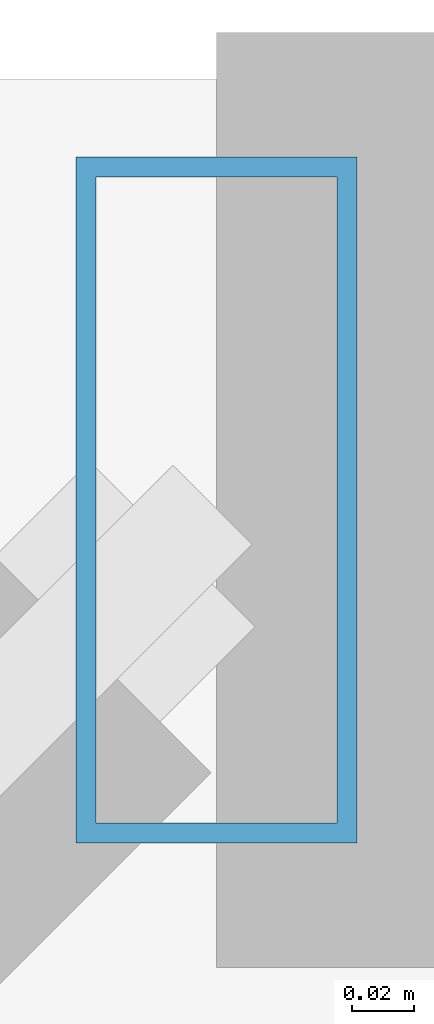
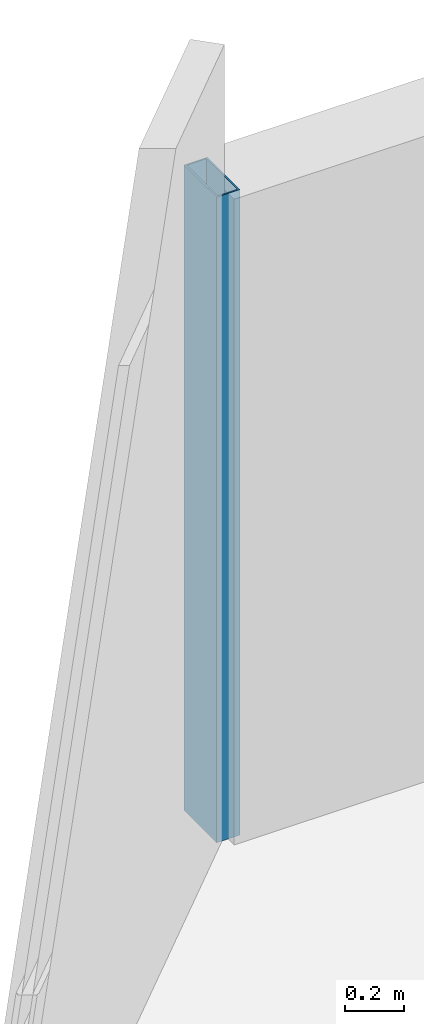
# One storey, part 17 of 36: 1 member, 1 element without a shape of its own.
"""IFC4 building model written with IfcOpenShell, lengths in metres."""

from ifc_helpers import new_model, si_unit, direction, frame, origin, origin_2d, place, context, subcontext, project, spatial, hollow_rectangle, extrude, material, material_profile, profile_set, type_object, element, aggregate, save


model = new_model("IFC4")

# Units and contexts
model_context = context("Model", 3, precision=1e-05, world=origin(), true_north=direction((0.0, 1.0)))
body_context = subcontext(model_context, "Body", "Model", "MODEL_VIEW")
ifc_project = project(units=[si_unit("LENGTHUNIT", "METRE"), si_unit("AREAUNIT", "SQUARE_METRE"), si_unit("VOLUMEUNIT", "CUBIC_METRE"), si_unit("PLANEANGLEUNIT", "RADIAN"), si_unit("MASSUNIT", "GRAM", prefix="KILO")], contexts=[model_context])

# Site, building, storey
site_placement = place(None, origin())
site = spatial("IfcSite", under=ifc_project, at=site_placement, CompositionType="ELEMENT")
building_placement = place(site_placement, origin())
building = spatial("IfcBuilding", under=site, at=building_placement, Name="Thornwick Lancets Civic Towers", CompositionType="ELEMENT")
storey_placement = place(building_placement, frame((0.0, 0.0, 68.10009765625)))
storey = spatial("IfcBuildingStorey", under=building, at=storey_placement, Name="L17", CompositionType="ELEMENT", Elevation=68.10009765625)

# Curtain wall, member
ifc_material_1 = material(Name="Low-zone chamfered-corner unitised glass curtain wall", Category="glass")
curtain_wall_type = type_object("IfcCurtainWallType", Name="CW_SYS_03", PredefinedType="NOTDEFINED", material=ifc_material_1)
curtain_wall_placement = place(storey_placement, origin())
curtain_wall = element("IfcCurtainWall", 1, at=curtain_wall_placement, inside=storey, type_object=curtain_wall_type, Name="L17 Curtain Wall CW-L17-B-E5", PredefinedType="NOTDEFINED")
ifc_material_2 = material(Name="Thermally broken bronze aluminium S355", Category="steel")
ifc_material_profile = material_profile(ifc_material_2, hollow_rectangle(XDim=0.090087890625, YDim=0.219970703125, WallThickness=0.00634765625, at=origin_2d()), Name="RHS 220x90x6.3")
ifc_profile_set = profile_set([ifc_material_profile], Name="Thermally broken bronze aluminium S355")
member_type = type_object("IfcMemberType", Name="CW_MUL_220", PredefinedType="MULLION", material=ifc_profile_set)
member_placement = place(storey_placement, frame((72.81884765625, 51.264892578125, 0.0), z_axis=(0.0, 0.0, 1.0), x_axis=(1.0, 0.0, 0.0)))
member = element("IfcMember", 2, at=member_placement, type_object=member_type, Name="CW-L17-B-E5 Mullion 0", PredefinedType="MULLION", context=body_context, shape_type="SweptSolid", body=[
    extrude(hollow_rectangle(XDim=0.090087890625, YDim=0.219970703125, WallThickness=0.00634765625, at=origin_2d()), origin(), (0.0, 0.0, 1.0), 2.659912109375),
])
aggregate(curtain_wall, [member])

save(model, "model.ifc")
